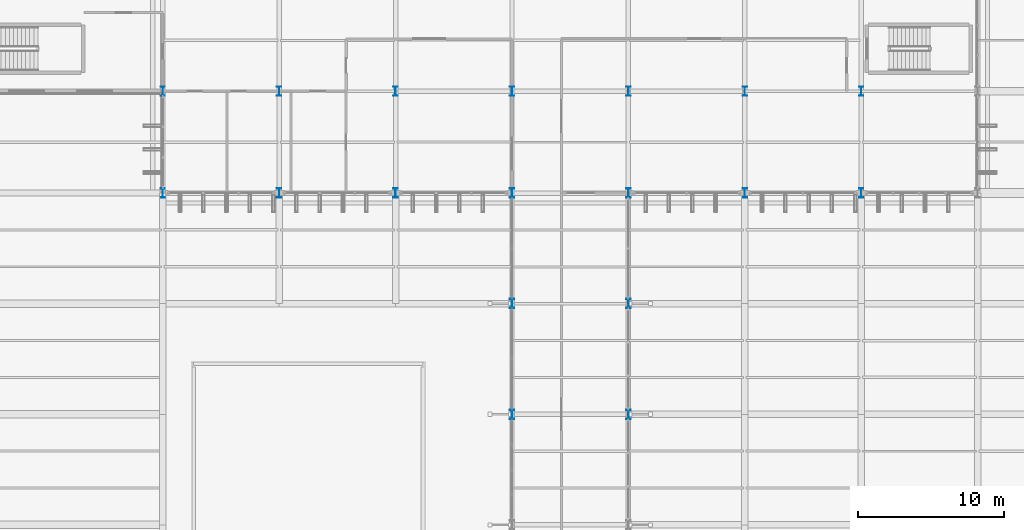
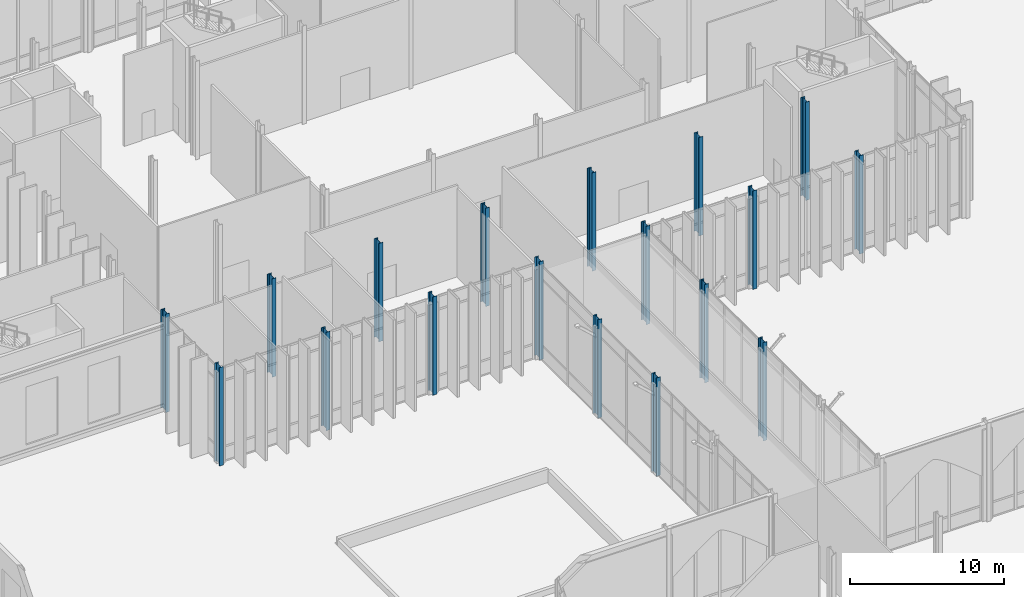
# One storey, part 7 of 176: 18 columns.
"""IFC4 building model written with IfcOpenShell, lengths in metres."""

from ifc_helpers import new_model, si_unit, direction, frame, origin, origin_2d, place, context, subcontext, project, spatial, i_section, extrude, material, material_profile, profile_set, type_object, element, save


model = new_model("IFC4")

# Units and contexts
model_context = context("Model", 3, precision=1e-05, world=origin(), true_north=direction((0.0, 1.0)))
body_context = subcontext(model_context, "Body", "Model", "MODEL_VIEW")
ifc_project = project(units=[si_unit("LENGTHUNIT", "METRE"), si_unit("AREAUNIT", "SQUARE_METRE"), si_unit("VOLUMEUNIT", "CUBIC_METRE"), si_unit("PLANEANGLEUNIT", "RADIAN"), si_unit("MASSUNIT", "GRAM", prefix="KILO")], contexts=[model_context])

# Site, building, storey
site_placement = place(None, origin())
site = spatial("IfcSite", under=ifc_project, at=site_placement, CompositionType="ELEMENT")
building_placement = place(site_placement, origin())
building = spatial("IfcBuilding", under=site, at=building_placement, Name="Vekula Escarpment Museum", CompositionType="ELEMENT")
storey_placement = place(building_placement, origin())
storey = spatial("IfcBuildingStorey", under=building, at=storey_placement, Name="L01", CompositionType="ELEMENT", Elevation=0.0)

# Columns
ifc_material = material(Name="Steel S355", Category="steel")
ifc_material_profile = material_profile(ifc_material, i_section(OverallWidth=0.300048828125, OverallDepth=0.64990234375, WebThickness=0.01611328125, FlangeThickness=0.031005859375, FilletRadius=0.027099609375, at=origin_2d()), Name="HEB 650")
ifc_profile_set = profile_set([ifc_material_profile], Name="Steel S355")
column_type = type_object("IfcColumnType", Name="COL-S-HEB650", PredefinedType="COLUMN", material=ifc_profile_set)
for number, where, z_axis, x_axis, name in (
    (1, (70.0, 45.60009765625, 0.0), (0.0, 0.0, 1.0), (1.0, 0.0, 0.0), "Column L01 (70.0,45.6)"),
    (2, (70.0, 52.60009765625, 0.0), (0.0, 0.0, 1.0), (1.0, 0.0, 0.0), "Column L01 (70.0,52.6)"),
    (3, (78.0, 45.60009765625, 0.0), (0.0, 0.0, 1.0), (1.0, 0.0, 0.0), "Column L01 (78.0,45.6)"),
    (4, (78.0, 52.60009765625, 0.0), (0.0, 0.0, 1.0), (1.0, 0.0, 0.0), "Column L01 (78.0,52.6)"),
    (5, (86.0, 45.60009765625, 0.0), (0.0, 0.0, 1.0), (1.0, 0.0, 0.0), "Column L01 (86.0,45.6)"),
    (6, (86.0, 52.60009765625, 0.0), (0.0, 0.0, 1.0), (1.0, 0.0, 0.0), "Column L01 (86.0,52.6)"),
    (7, (94.0, 30.39990234375, 0.0), (0.0, 0.0, 1.0), (1.0, 0.0, 0.0), "Column L01 (94.0,30.4)"),
    (8, (94.0, 38.0, 0.0), (0.0, 0.0, 1.0), (1.0, 0.0, 0.0), "Column L01 (94.0,38.0)"),
    (9, (94.0, 45.60009765625, 0.0), (0.0, 0.0, 1.0), (1.0, 0.0, 0.0), "Column L01 (94.0,45.6)"),
    (10, (94.0, 52.60009765625, 0.0), (0.0, 0.0, 1.0), (1.0, 0.0, 0.0), "Column L01 (94.0,52.6)"),
    (11, (102.0, 30.39990234375, 0.0), (0.0, 0.0, 1.0), (1.0, 0.0, 0.0), "Column L01 (102.0,30.4)"),
    (12, (102.0, 38.0, 0.0), (0.0, 0.0, 1.0), (1.0, 0.0, 0.0), "Column L01 (102.0,38.0)"),
    (13, (102.0, 45.60009765625, 0.0), (0.0, 0.0, 1.0), (1.0, 0.0, 0.0), "Column L01 (102.0,45.6)"),
    (14, (102.0, 52.60009765625, 0.0), (0.0, 0.0, 1.0), (1.0, 0.0, 0.0), "Column L01 (102.0,52.6)"),
    (15, (110.0, 45.60009765625, 0.0), (0.0, 0.0, 1.0), (1.0, 0.0, 0.0), "Column L01 (110.0,45.6)"),
    (16, (110.0, 52.60009765625, 0.0), (0.0, 0.0, 1.0), (1.0, 0.0, 0.0), "Column L01 (110.0,52.6)"),
    (17, (118.0, 45.60009765625, 0.0), (0.0, 0.0, 1.0), (1.0, 0.0, 0.0), "Column L01 (118.0,45.6)"),
    (18, (118.0, 52.60009765625, 0.0), (0.0, 0.0, 1.0), (1.0, 0.0, 0.0), "Column L01 (118.0,52.6)"),
):
    element("IfcColumn", number, at=place(storey_placement, frame(where, z_axis=z_axis, x_axis=x_axis)), inside=storey, type_object=column_type, Name=name, PredefinedType="COLUMN", context=body_context, shape_type="SweptSolid", body=[
        extrude(i_section(OverallWidth=0.300048828125, OverallDepth=0.64990234375, WebThickness=0.01611328125, FlangeThickness=0.031005859375, FilletRadius=0.027099609375, at=origin_2d()), origin(), (0.0, 0.0, 1.0), 7.800048828125),
    ])

save(model, "model.ifc")
